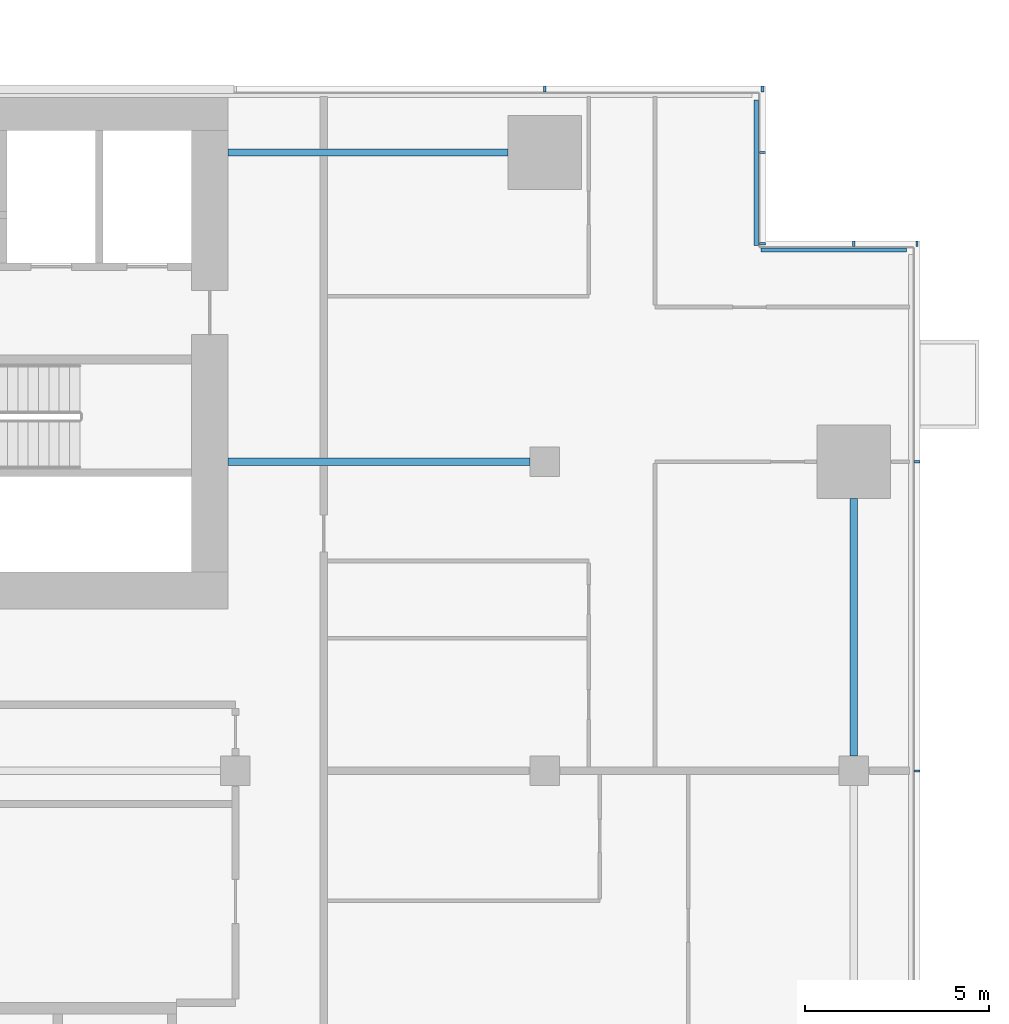
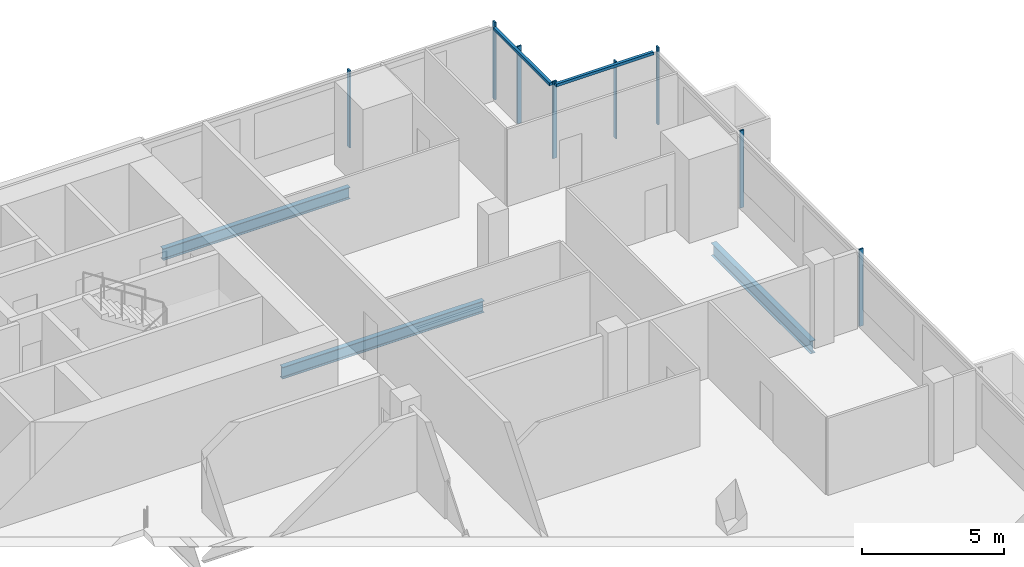
# One storey, part 13 of 26: 10 members, 3 beams, 4 elements without a shape of their own.
"""IFC4 building model written with IfcOpenShell, lengths in metres."""

from ifc_helpers import new_model, si_unit, direction, frame, origin, origin_2d, place, context, subcontext, project, spatial, rectangle, i_section, extrude, material, material_profile, profile_set, type_object, element, aggregate, save


model = new_model("IFC4")

# Units and contexts
model_context = context("Model", 3, precision=1e-05, world=origin(), true_north=direction((0.0, 1.0)))
body_context = subcontext(model_context, "Body", "Model", "MODEL_VIEW")
ifc_project = project(units=[si_unit("LENGTHUNIT", "METRE"), si_unit("AREAUNIT", "SQUARE_METRE"), si_unit("VOLUMEUNIT", "CUBIC_METRE"), si_unit("PLANEANGLEUNIT", "RADIAN"), si_unit("MASSUNIT", "GRAM", prefix="KILO")], contexts=[model_context])

# Site, building, storey
site_placement = place(None, origin())
site = spatial("IfcSite", under=ifc_project, at=site_placement, CompositionType="ELEMENT")
building_placement = place(site_placement, origin())
building = spatial("IfcBuilding", under=site, at=building_placement, Name="Saffron Gate Tower", CompositionType="ELEMENT")
storey_placement = place(building_placement, frame((0.0, 0.0, 120.449951171875)))
storey = spatial("IfcBuildingStorey", under=building, at=storey_placement, Name="L28", CompositionType="ELEMENT", Elevation=120.449951171875)

# Beams
ifc_material_1 = material(Name="Structural steel S355", Category="steel")
ifc_material_profile_1 = material_profile(ifc_material_1, i_section(OverallWidth=0.199951171875, OverallDepth=0.5, WebThickness=0.01025390625, FlangeThickness=0.01611328125, FilletRadius=0.02099609375, at=origin_2d()))
ifc_profile_set_1 = profile_set([ifc_material_profile_1], Name="Structural steel S355")
beam_type_1 = type_object("IfcBeamType", Name="B10 IPE 500", PredefinedType="BEAM", material=ifc_profile_set_1)
beam_1_placement = place(storey_placement, frame((116.60009765625, 65.39990234375, -0.530029296875), z_axis=(-1.0, 0.0, 0.0), x_axis=(0.0, -1.0, 0.0)))
element("IfcBeam", 1, at=beam_1_placement, inside=storey, type_object=beam_type_1, Name="B10 CORE TIE BEAM", PredefinedType="BEAM", context=body_context, shape_type="SweptSolid", body=[
    extrude(i_section(OverallWidth=0.199951171875, OverallDepth=0.5, WebThickness=0.01025390625, FlangeThickness=0.01611328125, FilletRadius=0.02099609375, at=origin_2d()), origin(), (0.0, 0.0, 1.0), 8.2001953125),
])
beam_2_placement = place(storey_placement, frame((116.0, 73.800048828125, -0.530029296875), z_axis=(-1.0, 0.0, 0.0), x_axis=(0.0, -1.0, 0.0)))
element("IfcBeam", 2, at=beam_2_placement, inside=storey, type_object=beam_type_1, Name="B10 CORE TIE BEAM", PredefinedType="BEAM", context=body_context, shape_type="SweptSolid", body=[
    extrude(i_section(OverallWidth=0.199951171875, OverallDepth=0.5, WebThickness=0.01025390625, FlangeThickness=0.01611328125, FilletRadius=0.02099609375, at=origin_2d()), origin(), (0.0, 0.0, 1.0), 7.60009765625),
])
ifc_material_profile_2 = material_profile(ifc_material_1, i_section(OverallWidth=0.2099609375, OverallDepth=0.550048828125, WebThickness=0.010986328125, FlangeThickness=0.01708984375, FilletRadius=0.02392578125, at=origin_2d()))
ifc_profile_set_2 = profile_set([ifc_material_profile_2], Name="Structural steel S355")
beam_type_2 = type_object("IfcBeamType", Name="B13 IPE 550", PredefinedType="SPANDREL", material=ifc_profile_set_2)
beam_3_placement = place(storey_placement, frame((125.39990234375, 57.39990234375, -0.554931640625), z_axis=(0.0, 1.0, 0.0), x_axis=(-1.0, 0.0, 0.0)))
element("IfcBeam", 3, at=beam_3_placement, inside=storey, type_object=beam_type_2, Name="B13 SPANDREL BEAM", PredefinedType="SPANDREL", context=body_context, shape_type="SweptSolid", body=[
    extrude(i_section(OverallWidth=0.2099609375, OverallDepth=0.550048828125, WebThickness=0.010986328125, FlangeThickness=0.01708984375, FilletRadius=0.02392578125, at=origin_2d()), origin(), (0.0, 0.0, 1.0), 7.0),
])

# Curtain wall, members
ifc_material_2 = material(Name="Aluminium, bronze anodised", Category="aluminium")
curtain_wall_type_1 = type_object("IfcCurtainWallType", Name="CWS2 curtain wall side facades", PredefinedType="NOTDEFINED", material=ifc_material_2)
curtain_wall_1_placement = place(storey_placement, origin())
curtain_wall_1 = element("IfcCurtainWall", 4, at=curtain_wall_1_placement, inside=storey, type_object=curtain_wall_type_1, Name="CWS2 run 4", PredefinedType="NOTDEFINED")
ifc_material_profile_3 = material_profile(ifc_material_2, rectangle(XDim=0.159912109375, YDim=0.06005859375, at=origin_2d()))
ifc_profile_set_3 = profile_set([ifc_material_profile_3], Name="Aluminium, bronze anodised")
member_type_1 = type_object("IfcMemberType", Name="CWS2 mullion 60x160", PredefinedType="MULLION", material=ifc_profile_set_3)
member_1_placement = place(storey_placement, frame((127.1201171875, 57.0, 0.0), z_axis=(0.0, 0.0, 1.0), x_axis=(-1.0, 0.0, 0.0)))
member_1 = element("IfcMember", 5, at=member_1_placement, type_object=member_type_1, Name="CWS2 mullion 4", PredefinedType="MULLION", context=body_context, shape_type="SweptSolid", body=[
    extrude(rectangle(XDim=0.159912109375, YDim=0.06005859375, at=origin_2d()), origin(), (0.0, 0.0, 1.0), 3.320068359375),
])
member_2_placement = place(storey_placement, frame((127.1201171875, 65.39990234375, 0.0), z_axis=(0.0, 0.0, 1.0), x_axis=(-1.0, 0.0, 0.0)))
member_2 = element("IfcMember", 6, at=member_2_placement, type_object=member_type_1, Name="CWS2 mullion 5", PredefinedType="MULLION", context=body_context, shape_type="SweptSolid", body=[
    extrude(rectangle(XDim=0.159912109375, YDim=0.06005859375, at=origin_2d()), origin(), (0.0, 0.0, 1.0), 3.320068359375),
])
aggregate(curtain_wall_1, [member_1, member_2])

curtain_wall_type_2 = type_object("IfcCurtainWallType", Name="CWS3 curtain wall rear facade", PredefinedType="NOTDEFINED", material=ifc_material_2)
curtain_wall_2_placement = place(storey_placement, origin())
curtain_wall_2 = element("IfcCurtainWall", 7, at=curtain_wall_2_placement, inside=storey, type_object=curtain_wall_type_2, Name="CWS3 run 7", PredefinedType="NOTDEFINED")
ifc_material_profile_4 = material_profile(ifc_material_2, rectangle(XDim=0.159912109375, YDim=0.070068359375, at=origin_2d()))
ifc_profile_set_4 = profile_set([ifc_material_profile_4], Name="Aluminium, bronze anodised")
member_type_2 = type_object("IfcMemberType", Name="CWS3 mullion 70x160", PredefinedType="MULLION", material=ifc_profile_set_4)
member_3_placement = place(storey_placement, frame((122.919921875, 75.52001953125, 0.0), z_axis=(0.0, 0.0, 1.0), x_axis=(0.0, -1.0, 0.0)))
member_3 = element("IfcMember", 8, at=member_3_placement, type_object=member_type_2, Name="CWS3 mullion 1", PredefinedType="MULLION", context=body_context, shape_type="SweptSolid", body=[
    extrude(rectangle(XDim=0.159912109375, YDim=0.070068359375, at=origin_2d()), origin(), (0.0, 0.0, 1.0), 3.320068359375),
])
member_4_placement = place(storey_placement, frame((117.0, 75.52001953125, 0.0), z_axis=(0.0, 0.0, 1.0), x_axis=(0.0, -1.0, 0.0)))
member_4 = element("IfcMember", 9, at=member_4_placement, type_object=member_type_2, Name="CWS3 mullion 2", PredefinedType="MULLION", context=body_context, shape_type="SweptSolid", body=[
    extrude(rectangle(XDim=0.159912109375, YDim=0.070068359375, at=origin_2d()), origin(), (0.0, 0.0, 1.0), 3.320068359375),
])
aggregate(curtain_wall_2, [member_3, member_4])

# Curtain wall, member
curtain_wall_type_3 = type_object("IfcCurtainWallType", Name="CWS4 curtain wall corner returns", PredefinedType="NOTDEFINED", material=ifc_material_2)
curtain_wall_3_placement = place(storey_placement, origin())
curtain_wall_3 = element("IfcCurtainWall", 10, at=curtain_wall_3_placement, inside=storey, type_object=curtain_wall_type_3, Name="CWS4 run 5", PredefinedType="NOTDEFINED")
ifc_material_profile_5 = material_profile(ifc_material_2, rectangle(XDim=0.1201171875, YDim=0.1201171875, at=origin_2d()))
ifc_profile_set_5 = profile_set([ifc_material_profile_5], Name="Aluminium, bronze anodised")
member_type_3 = type_object("IfcMemberType", Name="CWS4 head transom", PredefinedType="USERDEFINED", material=ifc_profile_set_5)
member_5_placement = place(storey_placement, frame((126.83203125, 71.152099609375, 3.260009765625), z_axis=(-1.0, 0.0, 0.0), x_axis=(0.0, -1.0, 0.0)))
member_5 = element("IfcMember", 11, at=member_5_placement, type_object=member_type_3, Name="CWS4 head transom", ObjectType="TRANSOM", PredefinedType="USERDEFINED", context=body_context, shape_type="SweptSolid", body=[
    extrude(rectangle(XDim=0.1201171875, YDim=0.1201171875, at=origin_2d()), origin(), (0.0, 0.0, 1.0), 3.9599609375),
])

curtain_wall_4_placement = place(storey_placement, origin())
curtain_wall_4 = element("IfcCurtainWall", 12, at=curtain_wall_4_placement, inside=storey, type_object=curtain_wall_type_3, Name="CWS4 run 6", PredefinedType="NOTDEFINED")
member_6_placement = place(storey_placement, frame((122.751953125, 71.27197265625, 3.260009765625), z_axis=(0.0, 1.0, 0.0), x_axis=(-1.0, 0.0, 0.0)))
member_6 = element("IfcMember", 13, at=member_6_placement, type_object=member_type_3, Name="CWS4 head transom", ObjectType="TRANSOM", PredefinedType="USERDEFINED", context=body_context, shape_type="SweptSolid", body=[
    extrude(rectangle(XDim=0.1201171875, YDim=0.1201171875, at=origin_2d()), origin(), (0.0, 0.0, 1.0), 3.9599609375),
])

# Member
ifc_material_profile_6 = material_profile(ifc_material_2, rectangle(XDim=0.159912109375, YDim=0.06005859375, at=origin_2d()))
ifc_profile_set_6 = profile_set([ifc_material_profile_6], Name="Aluminium, bronze anodised")
member_type_4 = type_object("IfcMemberType", Name="CWS4 mullion 60x160", PredefinedType="MULLION", material=ifc_profile_set_6)
member_7_placement = place(storey_placement, frame((127.1201171875, 71.320068359375, 0.0), z_axis=(0.0, 0.0, 1.0), x_axis=(0.0, -1.0, 0.0)))
member_7 = element("IfcMember", 14, at=member_7_placement, type_object=member_type_4, Name="CWS4 mullion 1", PredefinedType="MULLION", context=body_context, shape_type="SweptSolid", body=[
    extrude(rectangle(XDim=0.159912109375, YDim=0.06005859375, at=origin_2d()), origin(), (0.0, 0.0, 1.0), 3.320068359375),
])

member_8_placement = place(storey_placement, frame((125.39990234375, 71.320068359375, 0.0), z_axis=(0.0, 0.0, 1.0), x_axis=(0.0, -1.0, 0.0)))
member_8 = element("IfcMember", 15, at=member_8_placement, type_object=member_type_4, Name="CWS4 mullion 2", PredefinedType="MULLION", context=body_context, shape_type="SweptSolid", body=[
    extrude(rectangle(XDim=0.159912109375, YDim=0.06005859375, at=origin_2d()), origin(), (0.0, 0.0, 1.0), 3.320068359375),
])

aggregate(curtain_wall_3, [member_7, member_8, member_5])

member_9_placement = place(storey_placement, frame((122.919921875, 71.320068359375, 0.0), z_axis=(0.0, 0.0, 1.0), x_axis=(-1.0, 0.0, 0.0)))
member_9 = element("IfcMember", 16, at=member_9_placement, type_object=member_type_4, Name="CWS4 mullion 1", PredefinedType="MULLION", context=body_context, shape_type="SweptSolid", body=[
    extrude(rectangle(XDim=0.159912109375, YDim=0.06005859375, at=origin_2d()), origin(), (0.0, 0.0, 1.0), 3.320068359375),
])

member_10_placement = place(storey_placement, frame((122.919921875, 73.800048828125, 0.0), z_axis=(0.0, 0.0, 1.0), x_axis=(-1.0, 0.0, 0.0)))
member_10 = element("IfcMember", 17, at=member_10_placement, type_object=member_type_4, Name="CWS4 mullion 2", PredefinedType="MULLION", context=body_context, shape_type="SweptSolid", body=[
    extrude(rectangle(XDim=0.159912109375, YDim=0.06005859375, at=origin_2d()), origin(), (0.0, 0.0, 1.0), 3.320068359375),
])

aggregate(curtain_wall_4, [member_9, member_10, member_6])

save(model, "model.ifc")
